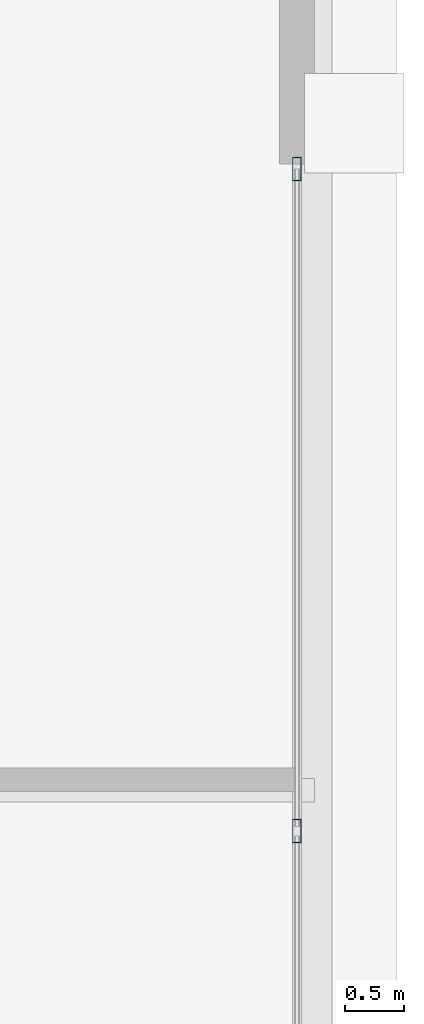
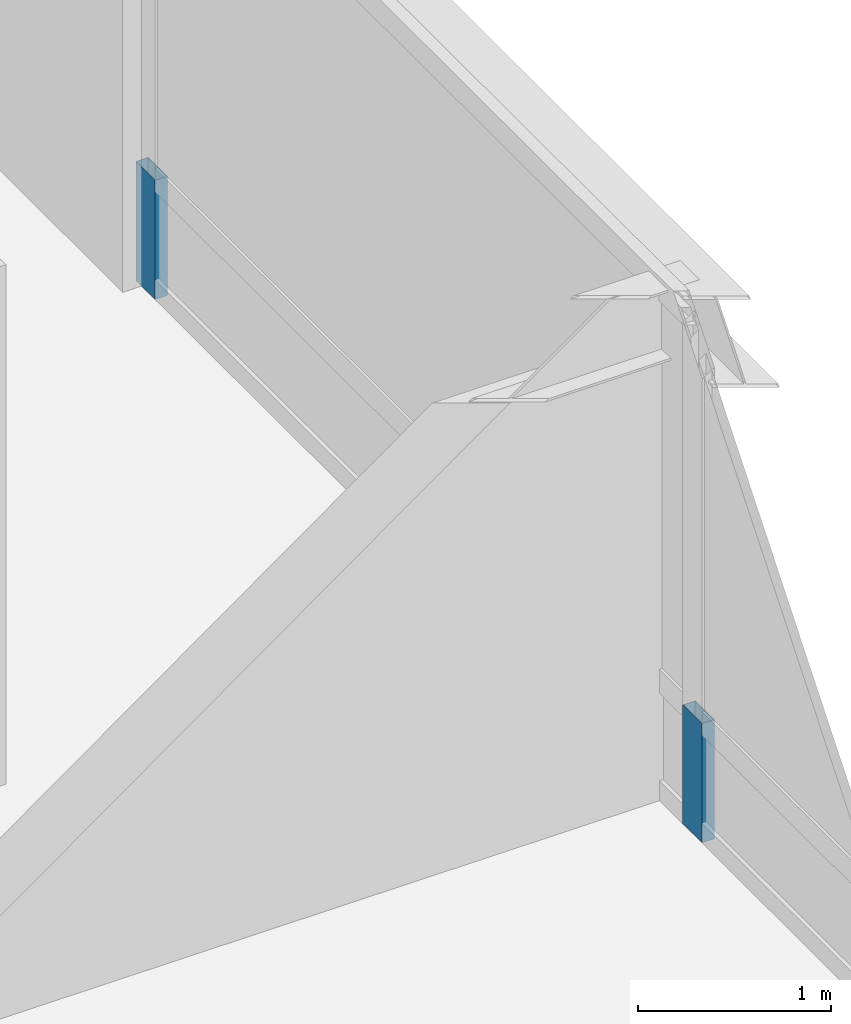
# One storey, part 26 of 35: 2 members, 1 element without a shape of its own.
"""IFC4 building model written with IfcOpenShell, lengths in metres."""

import ifcopenshell
import ifcopenshell.guid

model = None  # the IFC model being written
_history = None  # IfcOwnerHistory: only IFC2X3 demands one
_inside = {}  # id of a spatial element -> (the spatial element, [elements in it])
_under = {}  # id of a project, library or spatial element -> (it, [spatial elements below it])
_declared = {}  # id of a project -> (the project, [libraries it declares])
_typed = {}  # id of a type object -> (the type object, [elements of that type])
_made_of = {}  # id of a material, layer set ... -> (it, [elements and type objects made of it])


def new_model(schema):
    """Start an empty IFC model of exactly this schema.

    Asked for "IFC4X3", IfcOpenShell would pick the latest addendum, in which some entities
    have other attributes; the version numbers below select the first issue.
    IFC2X3 requires an IfcOwnerHistory on every rooted entity: one is made here for all.
    """
    global model, _history
    if schema == "IFC4X3":
        model = ifcopenshell.file(schema_version=(4, 3, 0, 0))
    else:
        model = ifcopenshell.file(schema=schema)
    _inside.clear()
    _under.clear()
    _declared.clear()
    _typed.clear()
    _made_of.clear()
    _history = None
    if model.schema == "IFC2X3":
        org = make("IfcOrganization", Name="unknown")
        user = make(
            "IfcPersonAndOrganization",
            ThePerson=make("IfcPerson", FamilyName="unknown"),
            TheOrganization=org,
        )
        app = make(
            "IfcApplication",
            ApplicationDeveloper=org,
            Version="unknown",
            ApplicationFullName="unknown",
            ApplicationIdentifier="unknown",
        )
        _history = make(
            "IfcOwnerHistory",
            OwningUser=user,
            OwningApplication=app,
            ChangeAction="ADDED",
            CreationDate=0,
        )
    return model


def make(cls, **values):
    """One entity of the class cls with the attributes given. An attribute that is None is left unset."""
    return model.create_entity(
        cls, **{name: value for name, value in values.items() if value is not None}
    )


def rooted(cls, **values):
    """An entity with a GlobalId (a new one), such as an element, a storey or a relation."""
    return make(cls, GlobalId=ifcopenshell.guid.new(), OwnerHistory=_history, **values)


def si_unit(unit_type, name, prefix=None):
    """IfcSIUnit, for example si_unit("LENGTHUNIT", "METRE", prefix="MILLI")."""
    return make("IfcSIUnit", UnitType=unit_type, Prefix=prefix, Name=name)


def assignment(units):
    """IfcUnitAssignment: the units of a project."""
    return None if units is None else make("IfcUnitAssignment", Units=units)


def point(xyz):
    """IfcCartesianPoint."""
    return None if xyz is None else make("IfcCartesianPoint", Coordinates=xyz)


def direction(xyz):
    """IfcDirection."""
    return None if xyz is None else make("IfcDirection", DirectionRatios=xyz)


def frame(location, z_axis=None, x_axis=None):
    """IfcAxis2Placement3D, a coordinate frame: its origin and axes. An axis left out is left unset."""
    return make(
        "IfcAxis2Placement3D",
        Location=point(location),
        Axis=direction(z_axis),
        RefDirection=direction(x_axis),
    )


def frame_2d(location, x_axis=None):
    """IfcAxis2Placement2D, a coordinate frame in the plane: its origin and x axis."""
    return make(
        "IfcAxis2Placement2D", Location=point(location), RefDirection=direction(x_axis)
    )


def origin():
    """The frame at (0, 0, 0) with its axes left unset."""
    return frame((0.0, 0.0, 0.0))


def origin_2d():
    """The frame at (0, 0) in the plane with its x axis left unset."""
    return frame_2d((0.0, 0.0))


def place(relative_to, where):
    """IfcLocalPlacement: puts the frame where relative to a parent placement (None: the world)."""
    return make(
        "IfcLocalPlacement", PlacementRelTo=relative_to, RelativePlacement=where
    )


def context(
    kind, dimensions, precision=None, world=None, true_north=None, identifier=None
):
    """IfcGeometricRepresentationContext, for example the 3D "Model" context."""
    return make(
        "IfcGeometricRepresentationContext",
        ContextIdentifier=identifier,
        ContextType=kind,
        CoordinateSpaceDimension=dimensions,
        Precision=precision,
        WorldCoordinateSystem=world,
        TrueNorth=true_north,
    )


def subcontext(parent, identifier, kind, view, scale=None):
    """IfcGeometricRepresentationSubContext, for example "Body" below "Model"."""
    return make(
        "IfcGeometricRepresentationSubContext",
        ContextIdentifier=identifier,
        ContextType=kind,
        ParentContext=parent,
        TargetScale=scale,
        TargetView=view,
    )


def project(units=None, contexts=None):
    """IfcProject with its units and contexts."""
    return rooted(
        "IfcProject",
        Name="project",
        RepresentationContexts=contexts,
        UnitsInContext=assignment(units),
    )


def spatial(cls, under=None, at=None, **own):
    """A site, building, storey or space (cls), placed at a placement, below another one or the project."""
    s = rooted(cls, ObjectPlacement=at, **own)
    if under is not None:
        _under.setdefault(under.id(), (under, []))[1].append(s)
    return s


def profile(cls, at=None, kind="AREA", **sizes):
    """A parametric profile (cls). Its sizes go by their IFC names, for example OverallWidth=200.0."""
    return make(cls, ProfileType=kind, Position=at, **sizes)


def hollow_rectangle(**sizes):
    """IfcRectangleHollowProfileDef."""
    return profile("IfcRectangleHollowProfileDef", **sizes)


def extrude(swept, where, along, depth):
    """IfcExtrudedAreaSolid: the profile swept, set in the frame where, extruded along a direction by depth."""
    return make(
        "IfcExtrudedAreaSolid",
        SweptArea=swept,
        Position=where,
        ExtrudedDirection=direction(along),
        Depth=depth,
    )


def shape(context_of_items, identifier, shape_type, items):
    """IfcShapeRepresentation: the items that make up one representation, for example the "Body"."""
    return make(
        "IfcShapeRepresentation",
        ContextOfItems=context_of_items,
        RepresentationIdentifier=identifier,
        RepresentationType=shape_type,
        Items=items,
    )


def source(mapping_origin, context_of_items, identifier, shape_type, items):
    """IfcRepresentationMap: a shape defined once, which mapped items show again and again."""
    return make(
        "IfcRepresentationMap",
        MappingOrigin=mapping_origin,
        MappedRepresentation=shape(context_of_items, identifier, shape_type, items),
    )


def transform(
    local_origin,
    x_axis=None,
    y_axis=None,
    z_axis=None,
    scale=None,
    scale2=None,
    scale3=None,
    uniform=True,
):
    """IfcCartesianTransformationOperator3D, or its non-uniform kind. x_axis, y_axis, z_axis: its Axis1, 2, 3."""
    if uniform:
        return make(
            "IfcCartesianTransformationOperator3D",
            Axis1=direction(x_axis),
            Axis2=direction(y_axis),
            LocalOrigin=point(local_origin),
            Scale=scale,
            Axis3=direction(z_axis),
        )
    return make(
        "IfcCartesianTransformationOperator3DnonUniform",
        Axis1=direction(x_axis),
        Axis2=direction(y_axis),
        LocalOrigin=point(local_origin),
        Scale=scale,
        Axis3=direction(z_axis),
        Scale2=scale2,
        Scale3=scale3,
    )


def mapped(mapping_source, mapping_target):
    """IfcMappedItem: shows the shape of a source again, moved by a transform."""
    return make(
        "IfcMappedItem", MappingSource=mapping_source, MappingTarget=mapping_target
    )


def material(Name=None, Category=None):
    """IfcMaterial."""
    return make("IfcMaterial", Name=Name, Category=Category)


def layer(
    of_material, thickness, ventilated=None, Name=None, Category=None, Priority=None
):
    """IfcMaterialLayer: one layer of a wall or slab, of a material (None: an air gap)."""
    return make(
        "IfcMaterialLayer",
        Material=of_material,
        LayerThickness=thickness,
        IsVentilated=ventilated,
        Name=Name,
        Category=Category,
        Priority=Priority,
    )


def layer_set(layers, Name=None):
    """IfcMaterialLayerSet."""
    return make("IfcMaterialLayerSet", MaterialLayers=layers, LayerSetName=Name)


def material_profile(
    of_material, cross_section, Name=None, Category=None, Priority=None
):
    """IfcMaterialProfile: a cross section and its material."""
    return make(
        "IfcMaterialProfile",
        Name=Name,
        Material=of_material,
        Profile=cross_section,
        Priority=Priority,
        Category=Category,
    )


def profile_set(profiles, Name=None, composite=None):
    """IfcMaterialProfileSet."""
    return make(
        "IfcMaterialProfileSet",
        Name=Name,
        MaterialProfiles=profiles,
        CompositeProfile=composite,
    )


def made_of(thing, what):
    """Note that an element or type object is made of a material, layer set ...; save() writes the relation."""
    if what is not None:
        _made_of.setdefault(what.id(), (what, []))[1].append(thing)
    return thing


def type_object(cls, material=None, **own):
    """A type object (cls), such as IfcWallType, which elements share."""
    return made_of(rooted(cls, **own), material)


def element(
    cls,
    number,
    at=None,
    inside=None,
    cuts=None,
    type_object=None,
    material=None,
    context=None,
    identifier="Body",
    shape_type=None,
    held_by="IfcProductDefinitionShape",
    body=None,
    shapes=None,
    **own,
):
    """One element of the class cls, such as IfcWall. Its Tag is "e" and its number.

    at: its placement. inside: the storey or other place that contains it. cuts: it is an
    opening in that element (IfcRelVoidsElement). A single representation is given by context,
    identifier, shape_type and body (its items); several are given by shapes. held_by: the class
    of the entity that holds the representations. save() writes the other relations.
    """
    e = rooted(cls, Tag="e%d" % number, ObjectPlacement=at, **own)
    if body is not None:
        shapes = [shape(context, identifier, shape_type, body)]
    if shapes is not None:
        e.Representation = make(held_by, Representations=shapes)
    if inside is not None:
        _inside.setdefault(inside.id(), (inside, []))[1].append(e)
    if cuts is not None:
        rooted(
            "IfcRelVoidsElement", RelatingBuildingElement=cuts, RelatedOpeningElement=e
        )
    if type_object is not None:
        _typed.setdefault(type_object.id(), (type_object, []))[1].append(e)
    return made_of(e, material)


def aggregate(whole, parts):
    """IfcRelAggregates: a whole, such as a stair, and the parts it consists of."""
    return rooted("IfcRelAggregates", RelatingObject=whole, RelatedObjects=parts)


def save(model, path):
    """Write the relations noted so far, then the file.

    IfcRelAggregates (storeys below a building ...), IfcRelContainedInSpatialStructure (elements
    in a storey), IfcRelDefinesByType, IfcRelAssociatesMaterial and IfcRelDeclares: one each for
    every whole, place, type object, material and project.
    """
    for whole, parts in _under.values():
        aggregate(whole, parts)
    for where, things in _inside.values():
        rooted(
            "IfcRelContainedInSpatialStructure",
            RelatedElements=things,
            RelatingStructure=where,
        )
    for kind, things in _typed.values():
        rooted("IfcRelDefinesByType", RelatedObjects=things, RelatingType=kind)
    for what, things in _made_of.values():
        rooted("IfcRelAssociatesMaterial", RelatedObjects=things, RelatingMaterial=what)
    for by, libraries in _declared.values():
        rooted("IfcRelDeclares", RelatingContext=by, RelatedDefinitions=libraries)
    model.write(path)


model = new_model("IFC4")

# Units and contexts
model_context = context("Model", 3, precision=1e-05, world=origin(), true_north=direction((0.0, 1.0)))
body_context = subcontext(model_context, "Body", "Model", "MODEL_VIEW")
ifc_project = project(units=[si_unit("LENGTHUNIT", "METRE"), si_unit("AREAUNIT", "SQUARE_METRE"), si_unit("VOLUMEUNIT", "CUBIC_METRE"), si_unit("PLANEANGLEUNIT", "RADIAN"), si_unit("MASSUNIT", "GRAM", prefix="KILO"), si_unit("THERMODYNAMICTEMPERATUREUNIT", "KELVIN"), si_unit("POWERUNIT", "WATT")], contexts=[model_context])

# Site, building, storey
site_placement = place(None, origin())
site = spatial("IfcSite", under=ifc_project, at=site_placement, CompositionType="ELEMENT")
building_placement = place(site_placement, origin())
building = spatial("IfcBuilding", under=site, at=building_placement, Name="Yuzanri Waterfront Tower", CompositionType="ELEMENT")
storey_placement = place(building_placement, frame((0.0, 0.0, 332.199951171875)))
storey = spatial("IfcBuildingStorey", under=building, at=storey_placement, Name="L89", CompositionType="ELEMENT", Elevation=332.199951171875)

# Curtain wall, members
ifc_material_1 = material(Name="Anodized Architectural Bronze", Category="metal")
ifc_layer = layer(ifc_material_1, 0.159912109375)
ifc_layer_set = layer_set([ifc_layer], Name="Anodized Architectural Bronze")
curtain_wall_type = type_object("IfcCurtainWallType", Name="Anodized Bronze High-Rise Penthouse High-Wind Unitized Curtain Wall 6900", PredefinedType="NOTDEFINED", material=ifc_layer_set)
curtain_wall_placement = place(storey_placement, origin())
curtain_wall = element("IfcCurtainWall", 1, at=curtain_wall_placement, inside=storey, type_object=curtain_wall_type, Name="L89 Curtain Wall CW-L89-ER", PredefinedType="NOTDEFINED")
ifc_material_2 = material(Name="Anodized Architectural Bronze", Category="metal")
ifc_material_profile = material_profile(ifc_material_2, hollow_rectangle(XDim=0.074951171875, YDim=0.199951171875, WallThickness=0.00390625, at=origin_2d()), Name="CWM 75x200")
ifc_profile_set = profile_set([ifc_material_profile], Name="Anodized Architectural Bronze")
member_type = type_object("IfcMemberType", Name="Anodized Bronze Primary Curtain-Wall Mullion 75x200", PredefinedType="MULLION", material=ifc_profile_set)
shared_shape = source(origin(), body_context, "Body", "SweptSolid", [
    extrude(hollow_rectangle(XDim=0.074951171875, YDim=0.199951171875, WallThickness=0.00390625, at=origin_2d()), origin(), (0.0, 0.0, 1.0), 0.751953125),
])
member_1_placement = place(storey_placement, frame((55.949951171875, 31.85009765625, 0.0), z_axis=(0.0, 0.0, 1.0), x_axis=(1.0, 0.0, 0.0)))
member_1 = element("IfcMember", 2, at=member_1_placement, type_object=member_type, Name="CW-L89-ER Lower Mullion 01", PredefinedType="MULLION", context=body_context, shape_type="MappedRepresentation", body=[
    mapped(shared_shape, transform((0.0, 0.0, 0.0), scale=1.0)),
])
member_2_placement = place(storey_placement, frame((55.949951171875, 37.510009765625, 0.0), z_axis=(0.0, 0.0, 1.0), x_axis=(1.0, 0.0, 0.0)))
member_2 = element("IfcMember", 3, at=member_2_placement, type_object=member_type, Name="CW-L89-ER Lower Mullion 02", PredefinedType="MULLION", context=body_context, shape_type="MappedRepresentation", body=[
    mapped(shared_shape, transform((0.0, 0.0, 0.0), scale=1.0)),
])
aggregate(curtain_wall, [member_1, member_2])

save(model, "model.ifc")
